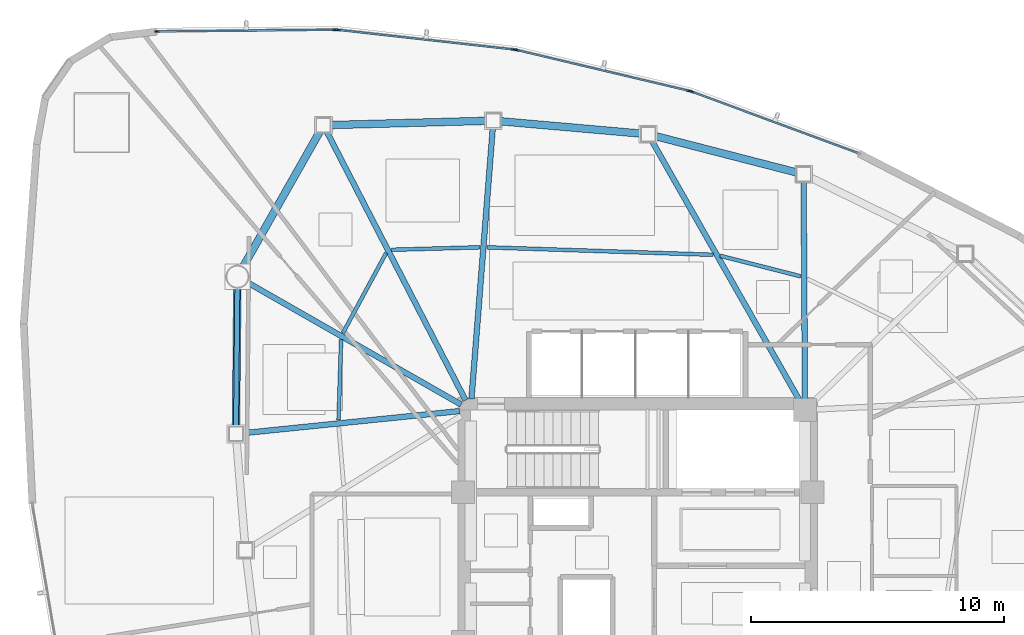
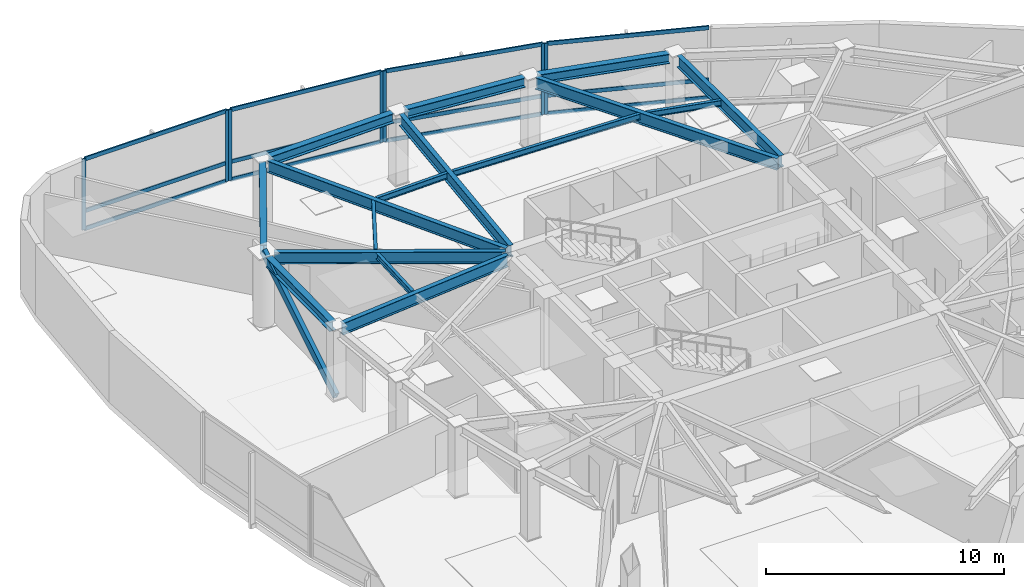
# One storey, part 7 of 15: 20 members, 16 beams, 4 elements without a shape of their own.
"""IFC4 building model written with IfcOpenShell, lengths in metres."""

from ifc_helpers import new_model, si_unit, direction, frame, origin, origin_2d, place, context, subcontext, project, spatial, hollow_rectangle, i_section, extrude, source, transform, mapped, material, layer, layer_set, material_profile, profile_set, type_object, type_shapes, element, aggregate, save


model = new_model("IFC4")

# Units and contexts
model_context = context("Model", 3, precision=1e-05, world=origin(), true_north=direction((0.0, 1.0)))
body_context = subcontext(model_context, "Body", "Model", "MODEL_VIEW")
ifc_project = project(units=[si_unit("LENGTHUNIT", "METRE"), si_unit("AREAUNIT", "SQUARE_METRE"), si_unit("VOLUMEUNIT", "CUBIC_METRE"), si_unit("PLANEANGLEUNIT", "RADIAN"), si_unit("MASSUNIT", "GRAM", prefix="KILO")], contexts=[model_context])

# Site, building, storey
site_placement = place(None, origin())
site = spatial("IfcSite", under=ifc_project, at=site_placement, CompositionType="ELEMENT")
building_placement = place(site_placement, origin())
building = spatial("IfcBuilding", under=site, at=building_placement, Name="Tavelor Broadcast Tower", CompositionType="ELEMENT")
storey_placement = place(building_placement, frame((0.0, 0.0, 222.14990234375)))
storey = spatial("IfcBuildingStorey", under=building, at=storey_placement, Name="L52", CompositionType="ELEMENT", Elevation=222.14990234375)

# Beams
ifc_material_1 = material(Name="Steel S355", Category="steel")
ifc_material_profile_1 = material_profile(ifc_material_1, i_section(OverallWidth=0.14990234375, OverallDepth=0.300048828125, WebThickness=0.007080078125, FlangeThickness=0.0107421875, at=origin_2d()), Name="IPE 300")
ifc_profile_set_1 = profile_set([ifc_material_profile_1], Name="Steel S355")
beam_type_1 = type_object("IfcBeamType", Name="Composite Floor Joist T5 IPE 300", PredefinedType="JOIST", material=ifc_profile_set_1)
beam_1_placement = place(storey_placement, frame((38.289794921875, 53.978515625, 3.5), z_axis=(-0.031859396157, -0.999492360589, 0.0), x_axis=(0.999492360589, -0.031859396157, 0.0)))
element("IfcBeam", 1, at=beam_1_placement, inside=storey, type_object=beam_type_1, Name="L52 Secondary Composite Floor Joist 01", PredefinedType="JOIST", context=body_context, shape_type="SweptSolid", body=[
    extrude(i_section(OverallWidth=0.14990234375, OverallDepth=0.300048828125, WebThickness=0.007080078125, FlangeThickness=0.0107421875, at=origin_2d()), origin(), (0.0, 0.0, 1.0), 3.172607421875),
])
beam_2_placement = place(storey_placement, frame((56.434326171875, 56.4736328125, 3.5), z_axis=(-0.968901023903, 0.247448592399, 0.0), x_axis=(-0.247448592399, -0.968901023903, 0.0)))
element("IfcBeam", 2, at=beam_2_placement, inside=storey, type_object=beam_type_1, Name="L52 Secondary Composite Floor Joist 15", PredefinedType="JOIST", context=body_context, shape_type="SweptSolid", body=[
    extrude(i_section(OverallWidth=0.14990234375, OverallDepth=0.300048828125, WebThickness=0.007080078125, FlangeThickness=0.0107421875, at=origin_2d()), origin(), (0.0, 0.0, 1.0), 3.283447265625),
])
beam_3_placement = place(storey_placement, frame((52.978515625, 57.3251953125, 3.5), z_axis=(-0.999455526468, 0.032994705837, 0.0), x_axis=(-0.032994705837, -0.999455526468, 0.0)))
element("IfcBeam", 3, at=beam_3_placement, inside=storey, type_object=beam_type_1, Name="L52 Secondary Composite Floor Joist 16", PredefinedType="JOIST", context=body_context, shape_type="SweptSolid", body=[
    extrude(i_section(OverallWidth=0.14990234375, OverallDepth=0.300048828125, WebThickness=0.007080078125, FlangeThickness=0.0107421875, at=origin_2d()), origin(), (0.0, 0.0, 1.0), 8.9384765625),
])
beam_4_placement = place(storey_placement, frame((43.76611328125, 57.620849609375, 3.5), z_axis=(-0.999611398275, -0.027875660324, 0.0), x_axis=(0.027875660324, -0.999611398275, 0.0)))
element("IfcBeam", 4, at=beam_4_placement, inside=storey, type_object=beam_type_1, Name="L52 Secondary Composite Floor Joist 17", PredefinedType="JOIST", context=body_context, shape_type="SweptSolid", body=[
    extrude(i_section(OverallWidth=0.14990234375, OverallDepth=0.300048828125, WebThickness=0.007080078125, FlangeThickness=0.0107421875, at=origin_2d()), origin(), (0.0, 0.0, 1.0), 3.49462890625),
])
beam_5_placement = place(storey_placement, frame((40.0673828125, 57.39697265625, 3.5), z_axis=(-0.475640833171, -0.879639584046, 0.0), x_axis=(0.879639584046, -0.475640833171, 0.0)))
element("IfcBeam", 5, at=beam_5_placement, inside=storey, type_object=beam_type_1, Name="L52 Secondary Composite Floor Joist 18", PredefinedType="JOIST", context=body_context, shape_type="SweptSolid", body=[
    extrude(i_section(OverallWidth=0.14990234375, OverallDepth=0.300048828125, WebThickness=0.007080078125, FlangeThickness=0.0107421875, at=origin_2d()), origin(), (0.0, 0.0, 1.0), 3.58837890625),
])
ifc_material_profile_2 = material_profile(ifc_material_1, i_section(OverallWidth=0.300048828125, OverallDepth=0.489990234375, WebThickness=0.011962890625, FlangeThickness=0.02294921875, at=origin_2d()), Name="HEA 500")
ifc_profile_set_2 = profile_set([ifc_material_profile_2], Name="Steel S355")
beam_type_2 = type_object("IfcBeamType", Name="Perimeter Spandrel Beam T5 HEA 500", PredefinedType="SPANDREL", material=ifc_profile_set_2)
beam_6_placement = place(storey_placement, frame((34.192138671875, 56.021240234375, 3.405029296875), z_axis=(-0.009538233347, -0.999954510018, 0.0), x_axis=(0.999954510018, -0.009538233347, 0.0)))
element("IfcBeam", 6, at=beam_6_placement, inside=storey, type_object=beam_type_2, Name="L52 Framed-Tube Ring Spandrel 01", PredefinedType="SPANDREL", context=body_context, shape_type="SweptSolid", body=[
    extrude(i_section(OverallWidth=0.300048828125, OverallDepth=0.489990234375, WebThickness=0.011962890625, FlangeThickness=0.02294921875, at=origin_2d()), origin(), (0.0, 0.0, 1.0), 5.4775390625),
])
beam_7_placement = place(storey_placement, frame((56.2666015625, 60.575927734375, 3.405029296875), z_axis=(-0.968398561847, 0.249407749304, 0.0), x_axis=(-0.249407749304, -0.968398561847, 0.0)))
element("IfcBeam", 7, at=beam_7_placement, inside=storey, type_object=beam_type_2, Name="L52 Framed-Tube Ring Spandrel 15", PredefinedType="SPANDREL", context=body_context, shape_type="SweptSolid", body=[
    extrude(i_section(OverallWidth=0.300048828125, OverallDepth=0.489990234375, WebThickness=0.011962890625, FlangeThickness=0.02294921875, at=origin_2d()), origin(), (0.0, 0.0, 1.0), 5.7626953125),
])
beam_8_placement = place(storey_placement, frame((50.120361328125, 62.110107421875, 3.405029296875), z_axis=(-0.996165524703, 0.087488555787, 0.0), x_axis=(-0.087488555787, -0.996165524703, 0.0)))
element("IfcBeam", 8, at=beam_8_placement, inside=storey, type_object=beam_type_2, Name="L52 Framed-Tube Ring Spandrel 16", PredefinedType="SPANDREL", context=body_context, shape_type="SweptSolid", body=[
    extrude(i_section(OverallWidth=0.300048828125, OverallDepth=0.489990234375, WebThickness=0.011962890625, FlangeThickness=0.02294921875, at=origin_2d()), origin(), (0.0, 0.0, 1.0), 5.555908203125),
])
beam_9_placement = place(storey_placement, frame((44.010986328125, 62.613525390625, 3.405029296875), z_axis=(-0.999631563069, -0.027142920174, 0.0), x_axis=(0.027142920174, -0.999631563069, 0.0)))
element("IfcBeam", 9, at=beam_9_placement, inside=storey, type_object=beam_type_2, Name="L52 Framed-Tube Ring Spandrel 17", PredefinedType="SPANDREL", context=body_context, shape_type="SweptSolid", body=[
    extrude(i_section(OverallWidth=0.300048828125, OverallDepth=0.489990234375, WebThickness=0.011962890625, FlangeThickness=0.02294921875, at=origin_2d()), origin(), (0.0, 0.0, 1.0), 6.13427734375),
])
beam_10_placement = place(storey_placement, frame((37.44873046875, 62.188720703125, 3.405029296875), z_axis=(-0.49368262273, -0.869642149401, 0.0), x_axis=(0.869642149401, -0.49368262273, 0.0)))
element("IfcBeam", 10, at=beam_10_placement, inside=storey, type_object=beam_type_2, Name="L52 Framed-Tube Ring Spandrel 18", PredefinedType="SPANDREL", context=body_context, shape_type="SweptSolid", body=[
    extrude(i_section(OverallWidth=0.300048828125, OverallDepth=0.489990234375, WebThickness=0.011962890625, FlangeThickness=0.02294921875, at=origin_2d()), origin(), (0.0, 0.0, 1.0), 6.14892578125),
])

# Member
ifc_material_profile_3 = material_profile(ifc_material_1, hollow_rectangle(XDim=0.199951171875, YDim=0.39990234375, WallThickness=0.01611328125, at=origin_2d()), Name="RHS 400x200x16")
ifc_profile_set_3 = profile_set([ifc_material_profile_3], Name="Steel S355")
member_type_1 = type_object("IfcMemberType", Name="Perimeter Tube Brace T5 RHS 400x200x16", PredefinedType="BRACE", material=ifc_profile_set_3)
member_1_placement = place(storey_placement, frame((34.13720703125, 50.255859375, 0.0), z_axis=(0.008207584485, 0.861864202231, 0.507072709254), x_axis=(-0.999954658748, 0.009522628184, 0.0)))
element("IfcMember", 11, at=member_1_placement, inside=storey, type_object=member_type_1, Name="L52 Corner Tube Diagonal Brace 1", PredefinedType="BRACE", context=body_context, shape_type="SweptSolid", body=[
    extrude(hollow_rectangle(XDim=0.199951171875, YDim=0.39990234375, WallThickness=0.01611328125, at=origin_2d()), origin(), (0.0, 0.0, 1.0), 7.198486328125),
])

# Beams
ifc_material_profile_4 = material_profile(ifc_material_1, i_section(OverallWidth=0.219970703125, OverallDepth=0.60009765625, WebThickness=0.011962890625, FlangeThickness=0.01904296875, at=origin_2d()), Name="IPE 600")
ifc_profile_set_4 = profile_set([ifc_material_profile_4], Name="Steel S355")
beam_type_3 = type_object("IfcBeamType", Name="Radial Floor Girder T5 IPE 600", PredefinedType="BEAM", material=ifc_profile_set_4)
beam_11_placement = place(storey_placement, frame((43.02490234375, 51.414306640625, 3.35009765625), z_axis=(-0.868210713595, 0.496195683979, 0.0), x_axis=(-0.496195683979, -0.868210713595, 0.0)))
element("IfcBeam", 12, at=beam_11_placement, inside=storey, type_object=beam_type_3, Name="L52 Radial Primary Floor Girder 01", PredefinedType="BEAM", context=body_context, shape_type="SweptSolid", body=[
    extrude(i_section(OverallWidth=0.219970703125, OverallDepth=0.60009765625, WebThickness=0.011962890625, FlangeThickness=0.01904296875, at=origin_2d()), origin(), (0.0, 0.0, 1.0), 9.729736328125),
])
beam_12_placement = place(storey_placement, frame((42.97021484375, 51.15625, 3.35009765625), z_axis=(-0.994846025553, -0.101397166829, 0.0), x_axis=(0.101397166829, -0.994846025553, 0.0)))
element("IfcBeam", 13, at=beam_12_placement, inside=storey, type_object=beam_type_3, Name="L52 Radial Primary Floor Girder 02", PredefinedType="BEAM", context=body_context, shape_type="SweptSolid", body=[
    extrude(i_section(OverallWidth=0.219970703125, OverallDepth=0.60009765625, WebThickness=0.011962890625, FlangeThickness=0.01904296875, at=origin_2d()), origin(), (0.0, 0.0, 1.0), 8.5908203125),
])
beam_13_placement = place(storey_placement, frame((56.597412109375, 51.632080078125, 3.35009765625), z_axis=(-0.005830390092, 0.999983003131, 0.0), x_axis=(-0.999983003131, -0.005830390092, 0.0)))
element("IfcBeam", 14, at=beam_13_placement, inside=storey, type_object=beam_type_3, Name="L52 Radial Primary Floor Girder 15", PredefinedType="BEAM", context=body_context, shape_type="SweptSolid", body=[
    extrude(i_section(OverallWidth=0.219970703125, OverallDepth=0.60009765625, WebThickness=0.011962890625, FlangeThickness=0.01904296875, at=origin_2d()), origin(), (0.0, 0.0, 1.0), 8.584228515625),
])
beam_14_placement = place(storey_placement, frame((56.386474609375, 51.575439453125, 3.35009765625), z_axis=(-0.49450754608, 0.869173335342, 0.0), x_axis=(-0.869173335342, -0.49450754608, 0.0)))
element("IfcBeam", 15, at=beam_14_placement, inside=storey, type_object=beam_type_3, Name="L52 Radial Primary Floor Girder 16", PredefinedType="BEAM", context=body_context, shape_type="SweptSolid", body=[
    extrude(i_section(OverallWidth=0.219970703125, OverallDepth=0.60009765625, WebThickness=0.011962890625, FlangeThickness=0.01904296875, at=origin_2d()), origin(), (0.0, 0.0, 1.0), 11.803466796875),
])
beam_15_placement = place(storey_placement, frame((43.433837890625, 51.630615234375, 3.35009765625), z_axis=(0.078449146994, 0.996918116666, 0.0), x_axis=(-0.996918116666, 0.078449146994, 0.0)))
element("IfcBeam", 16, at=beam_15_placement, inside=storey, type_object=beam_type_3, Name="L52 Radial Primary Floor Girder 17", PredefinedType="BEAM", context=body_context, shape_type="SweptSolid", body=[
    extrude(i_section(OverallWidth=0.219970703125, OverallDepth=0.60009765625, WebThickness=0.011962890625, FlangeThickness=0.01904296875, at=origin_2d()), origin(), (0.0, 0.0, 1.0), 10.73681640625),
])
beam_16_placement = place(storey_placement, frame((43.20166015625, 51.583740234375, 3.35009765625), z_axis=(-0.459155708723, 0.888355804364, 0.0), x_axis=(-0.888355804364, -0.459155708723, 0.0)))
element("IfcBeam", 17, at=beam_16_placement, inside=storey, type_object=beam_type_3, Name="L52 Radial Primary Floor Girder 18", PredefinedType="BEAM", context=body_context, shape_type="SweptSolid", body=[
    extrude(i_section(OverallWidth=0.219970703125, OverallDepth=0.60009765625, WebThickness=0.011962890625, FlangeThickness=0.01904296875, at=origin_2d()), origin(), (0.0, 0.0, 1.0), 11.931640625),
])

# Curtain wall, member
ifc_material_2 = material(Name="Architectural Anodized Aluminium", Category="aluminium")
ifc_layer = layer(ifc_material_2, 0.199951171875)
ifc_layer_set = layer_set([ifc_layer], Name="Architectural Anodized Aluminium")
curtain_wall_type = type_object("IfcCurtainWallType", Name="Tower High-Zone Triple-Glazed Curtain Wall CW04", PredefinedType="NOTDEFINED", material=ifc_layer_set)
curtain_wall_1_placement = place(storey_placement, origin())
curtain_wall_1 = element("IfcCurtainWall", 18, at=curtain_wall_1_placement, inside=storey, type_object=curtain_wall_type, Name="L52 Curtain Wall CW04 Run 561", PredefinedType="NOTDEFINED")
ifc_material_profile_5 = material_profile(ifc_material_2, hollow_rectangle(XDim=0.070068359375, YDim=0.199951171875, WallThickness=0.02197265625, at=origin_2d()), Name="RHS 70x200x22")
ifc_profile_set_5 = profile_set([ifc_material_profile_5], Name="Architectural Anodized Aluminium")
member_type_2 = type_object("IfcMemberType", Name="CW04 Extruded Aluminium Mullion 70x200", PredefinedType="MULLION", material=ifc_profile_set_5)
shared_shape_1 = source(origin(), body_context, "Body", "SweptSolid", [
    extrude(hollow_rectangle(XDim=0.070068359375, YDim=0.199951171875, WallThickness=0.02197265625, at=origin_2d()), origin(), (0.0, 0.0, 1.0), 3.650146484375),
])
type_shapes(member_type_2, [shared_shape_1])
member_2_placement = place(storey_placement, frame((52.117919921875, 63.766357421875, 0.0), z_axis=(0.0, 0.0, 1.0), x_axis=(-0.346526528405, -0.93804017244, 0.0)))
member_2 = element("IfcMember", 19, at=member_2_placement, type_object=member_type_2, Name="CW04 mullion 2", PredefinedType="MULLION", context=body_context, shape_type="MappedRepresentation", body=[
    mapped(shared_shape_1, transform((0.0, 0.0, 0.0), scale=1.0)),
])

# Curtain wall, members
curtain_wall_2_placement = place(storey_placement, origin())
curtain_wall_2 = element("IfcCurtainWall", 20, at=curtain_wall_2_placement, inside=storey, type_object=curtain_wall_type, Name="L52 Curtain Wall CW04 Run 562", PredefinedType="NOTDEFINED")
member_3_placement = place(storey_placement, frame((52.0224609375, 63.79541015625, 0.0), z_axis=(0.0, 0.0, 1.0), x_axis=(-0.230475897407, -0.973078034237, 0.0)))
member_3 = element("IfcMember", 21, at=member_3_placement, type_object=member_type_2, Name="CW04 mullion 1", PredefinedType="MULLION", context=body_context, shape_type="MappedRepresentation", body=[
    mapped(shared_shape_1, transform((0.0, 0.0, 0.0), scale=1.0)),
])
member_4_placement = place(storey_placement, frame((45.209228515625, 65.4091796875, 0.0), z_axis=(0.0, 0.0, 1.0), x_axis=(-0.230475897407, -0.973078034237, 0.0)))
member_4 = element("IfcMember", 22, at=member_4_placement, type_object=member_type_2, Name="CW04 mullion 2", PredefinedType="MULLION", context=body_context, shape_type="MappedRepresentation", body=[
    mapped(shared_shape_1, transform((0.0, 0.0, 0.0), scale=1.0)),
])

curtain_wall_3_placement = place(storey_placement, origin())
curtain_wall_3 = element("IfcCurtainWall", 23, at=curtain_wall_3_placement, inside=storey, type_object=curtain_wall_type, Name="L52 Curtain Wall CW04 Run 563", PredefinedType="NOTDEFINED")
member_5_placement = place(storey_placement, frame((45.11083984375, 65.42626953125, 0.0), z_axis=(0.0, 0.0, 1.0), x_axis=(-0.111016610833, -0.993818550903, 0.0)))
member_5 = element("IfcMember", 24, at=member_5_placement, type_object=member_type_2, Name="CW04 mullion 1", PredefinedType="MULLION", context=body_context, shape_type="MappedRepresentation", body=[
    mapped(shared_shape_1, transform((0.0, 0.0, 0.0), scale=1.0)),
])
member_6_placement = place(storey_placement, frame((38.152099609375, 66.20361328125, 0.0), z_axis=(0.0, 0.0, 1.0), x_axis=(-0.111016610833, -0.993818550903, 0.0)))
member_6 = element("IfcMember", 25, at=member_6_placement, type_object=member_type_2, Name="CW04 mullion 2", PredefinedType="MULLION", context=body_context, shape_type="MappedRepresentation", body=[
    mapped(shared_shape_1, transform((0.0, 0.0, 0.0), scale=1.0)),
])

curtain_wall_4_placement = place(storey_placement, origin())
curtain_wall_4 = element("IfcCurtainWall", 26, at=curtain_wall_4_placement, inside=storey, type_object=curtain_wall_type, Name="L52 Curtain Wall CW04 Run 564", PredefinedType="NOTDEFINED")
member_7_placement = place(storey_placement, frame((38.052490234375, 66.20849609375, 0.0), z_axis=(0.0, 0.0, 1.0), x_axis=(0.010059597642, -0.999949400968, 0.0)))
member_7 = element("IfcMember", 27, at=member_7_placement, type_object=member_type_2, Name="CW04 mullion 1", PredefinedType="MULLION", context=body_context, shape_type="MappedRepresentation", body=[
    mapped(shared_shape_1, transform((0.0, 0.0, 0.0), scale=1.0)),
])
member_8_placement = place(storey_placement, frame((31.03515625, 66.137939453125, 0.0), z_axis=(0.0, 0.0, 1.0), x_axis=(0.010059597642, -0.999949400968, 0.0)))
member_8 = element("IfcMember", 28, at=member_8_placement, type_object=member_type_2, Name="CW04 mullion 2", PredefinedType="MULLION", context=body_context, shape_type="MappedRepresentation", body=[
    mapped(shared_shape_1, transform((0.0, 0.0, 0.0), scale=1.0)),
])

# Member
ifc_material_profile_6 = material_profile(ifc_material_2, hollow_rectangle(XDim=0.070068359375, YDim=0.199951171875, WallThickness=0.02197265625, at=origin_2d()), Name="RHS 70x200x22")
ifc_profile_set_6 = profile_set([ifc_material_profile_6], Name="Architectural Anodized Aluminium")
member_type_3 = type_object("IfcMemberType", Name="CW04 Extruded Aluminium Transom 70x200", PredefinedType="USERDEFINED", material=ifc_profile_set_6)
shared_shape_2 = source(origin(), body_context, "Body", "SweptSolid", [
    extrude(hollow_rectangle(XDim=0.070068359375, YDim=0.199951171875, WallThickness=0.02197265625, at=origin_2d()), origin(), (0.0, 0.0, 1.0), 6.94677734375),
])
member_9_placement = place(storey_placement, frame((58.667236328125, 61.34716796875, 0.03515625), z_axis=(-0.938040945399, 0.346524436014, 0.0), x_axis=(-0.346524436014, -0.938040945399, 0.0)))
member_9 = element("IfcMember", 29, at=member_9_placement, type_object=member_type_3, Name="CW04 transom 1.1", ObjectType="TRANSOM", PredefinedType="USERDEFINED", context=body_context, shape_type="MappedRepresentation", body=[
    mapped(shared_shape_2, transform((0.0, 0.0, 0.0), scale=1.0)),
])

member_10_placement = place(storey_placement, frame((58.667236328125, 61.34716796875, 0.9501953125), z_axis=(-0.938040945399, 0.346524436014, 0.0), x_axis=(-0.346524436014, -0.938040945399, 0.0)))
member_10 = element("IfcMember", 30, at=member_10_placement, type_object=member_type_3, Name="CW04 transom 1.2", ObjectType="TRANSOM", PredefinedType="USERDEFINED", context=body_context, shape_type="MappedRepresentation", body=[
    mapped(shared_shape_2, transform((0.0, 0.0, 0.0), scale=1.0)),
])

member_11_placement = place(storey_placement, frame((58.667236328125, 61.34716796875, 3.614990234375), z_axis=(-0.938040945399, 0.346524436014, 0.0), x_axis=(-0.346524436014, -0.938040945399, 0.0)))
member_11 = element("IfcMember", 31, at=member_11_placement, type_object=member_type_3, Name="CW04 transom 1.3", ObjectType="TRANSOM", PredefinedType="USERDEFINED", context=body_context, shape_type="MappedRepresentation", body=[
    mapped(shared_shape_2, transform((0.0, 0.0, 0.0), scale=1.0)),
])

aggregate(curtain_wall_1, [member_2, member_9, member_10, member_11])

shared_shape_3 = source(origin(), body_context, "Body", "SweptSolid", [
    extrude(hollow_rectangle(XDim=0.070068359375, YDim=0.199951171875, WallThickness=0.02197265625, at=origin_2d()), origin(), (0.0, 0.0, 1.0), 6.931884765625),
])
member_12_placement = place(storey_placement, frame((51.988525390625, 63.803466796875, 0.03515625), z_axis=(-0.973078001065, 0.23047603746, 0.0), x_axis=(-0.23047603746, -0.973078001065, 0.0)))
member_12 = element("IfcMember", 32, at=member_12_placement, type_object=member_type_3, Name="CW04 transom 1.1", ObjectType="TRANSOM", PredefinedType="USERDEFINED", context=body_context, shape_type="MappedRepresentation", body=[
    mapped(shared_shape_3, transform((0.0, 0.0, 0.0), scale=1.0)),
])

member_13_placement = place(storey_placement, frame((51.988525390625, 63.803466796875, 0.9501953125), z_axis=(-0.973078001065, 0.23047603746, 0.0), x_axis=(-0.23047603746, -0.973078001065, 0.0)))
member_13 = element("IfcMember", 33, at=member_13_placement, type_object=member_type_3, Name="CW04 transom 1.2", ObjectType="TRANSOM", PredefinedType="USERDEFINED", context=body_context, shape_type="MappedRepresentation", body=[
    mapped(shared_shape_3, transform((0.0, 0.0, 0.0), scale=1.0)),
])

member_14_placement = place(storey_placement, frame((51.988525390625, 63.803466796875, 3.614990234375), z_axis=(-0.973078001065, 0.23047603746, 0.0), x_axis=(-0.23047603746, -0.973078001065, 0.0)))
member_14 = element("IfcMember", 34, at=member_14_placement, type_object=member_type_3, Name="CW04 transom 1.3", ObjectType="TRANSOM", PredefinedType="USERDEFINED", context=body_context, shape_type="MappedRepresentation", body=[
    mapped(shared_shape_3, transform((0.0, 0.0, 0.0), scale=1.0)),
])

aggregate(curtain_wall_2, [member_3, member_4, member_12, member_13, member_14])

member_15_placement = place(storey_placement, frame((45.075927734375, 65.43017578125, 0.03515625), z_axis=(-0.993818705879, 0.11101522348, 0.0), x_axis=(-0.11101522348, -0.993818705879, 0.0)))
member_15 = element("IfcMember", 35, at=member_15_placement, type_object=member_type_3, Name="CW04 transom 1.1", ObjectType="TRANSOM", PredefinedType="USERDEFINED", context=body_context, shape_type="MappedRepresentation", body=[
    mapped(shared_shape_3, transform((0.0, 0.0, 0.0), scale=1.0)),
])

member_16_placement = place(storey_placement, frame((45.075927734375, 65.43017578125, 0.9501953125), z_axis=(-0.993818705879, 0.11101522348, 0.0), x_axis=(-0.11101522348, -0.993818705879, 0.0)))
member_16 = element("IfcMember", 36, at=member_16_placement, type_object=member_type_3, Name="CW04 transom 1.2", ObjectType="TRANSOM", PredefinedType="USERDEFINED", context=body_context, shape_type="MappedRepresentation", body=[
    mapped(shared_shape_3, transform((0.0, 0.0, 0.0), scale=1.0)),
])

member_17_placement = place(storey_placement, frame((45.075927734375, 65.43017578125, 3.614990234375), z_axis=(-0.993818705879, 0.11101522348, 0.0), x_axis=(-0.11101522348, -0.993818705879, 0.0)))
member_17 = element("IfcMember", 37, at=member_17_placement, type_object=member_type_3, Name="CW04 transom 1.3", ObjectType="TRANSOM", PredefinedType="USERDEFINED", context=body_context, shape_type="MappedRepresentation", body=[
    mapped(shared_shape_3, transform((0.0, 0.0, 0.0), scale=1.0)),
])

aggregate(curtain_wall_3, [member_5, member_6, member_15, member_16, member_17])

shared_shape_4 = source(origin(), body_context, "Body", "SweptSolid", [
    extrude(hollow_rectangle(XDim=0.070068359375, YDim=0.199951171875, WallThickness=0.02197265625, at=origin_2d()), origin(), (0.0, 0.0, 1.0), 6.94775390625),
])
type_shapes(member_type_3, [shared_shape_2, shared_shape_3, shared_shape_4])
member_18_placement = place(storey_placement, frame((38.017578125, 66.208251953125, 0.03515625), z_axis=(-0.999949146314, -0.010084879116, 0.0), x_axis=(0.010084879116, -0.999949146314, 0.0)))
member_18 = element("IfcMember", 38, at=member_18_placement, type_object=member_type_3, Name="CW04 transom 1.1", ObjectType="TRANSOM", PredefinedType="USERDEFINED", context=body_context, shape_type="MappedRepresentation", body=[
    mapped(shared_shape_4, transform((0.0, 0.0, 0.0), scale=1.0)),
])

member_19_placement = place(storey_placement, frame((38.017578125, 66.208251953125, 0.9501953125), z_axis=(-0.999949146314, -0.010084879116, 0.0), x_axis=(0.010084879116, -0.999949146314, 0.0)))
member_19 = element("IfcMember", 39, at=member_19_placement, type_object=member_type_3, Name="CW04 transom 1.2", ObjectType="TRANSOM", PredefinedType="USERDEFINED", context=body_context, shape_type="MappedRepresentation", body=[
    mapped(shared_shape_4, transform((0.0, 0.0, 0.0), scale=1.0)),
])

member_20_placement = place(storey_placement, frame((38.017578125, 66.208251953125, 3.614990234375), z_axis=(-0.999949146314, -0.010084879116, 0.0), x_axis=(0.010084879116, -0.999949146314, 0.0)))
member_20 = element("IfcMember", 40, at=member_20_placement, type_object=member_type_3, Name="CW04 transom 1.3", ObjectType="TRANSOM", PredefinedType="USERDEFINED", context=body_context, shape_type="MappedRepresentation", body=[
    mapped(shared_shape_4, transform((0.0, 0.0, 0.0), scale=1.0)),
])

aggregate(curtain_wall_4, [member_7, member_8, member_18, member_19, member_20])

save(model, "model.ifc")
